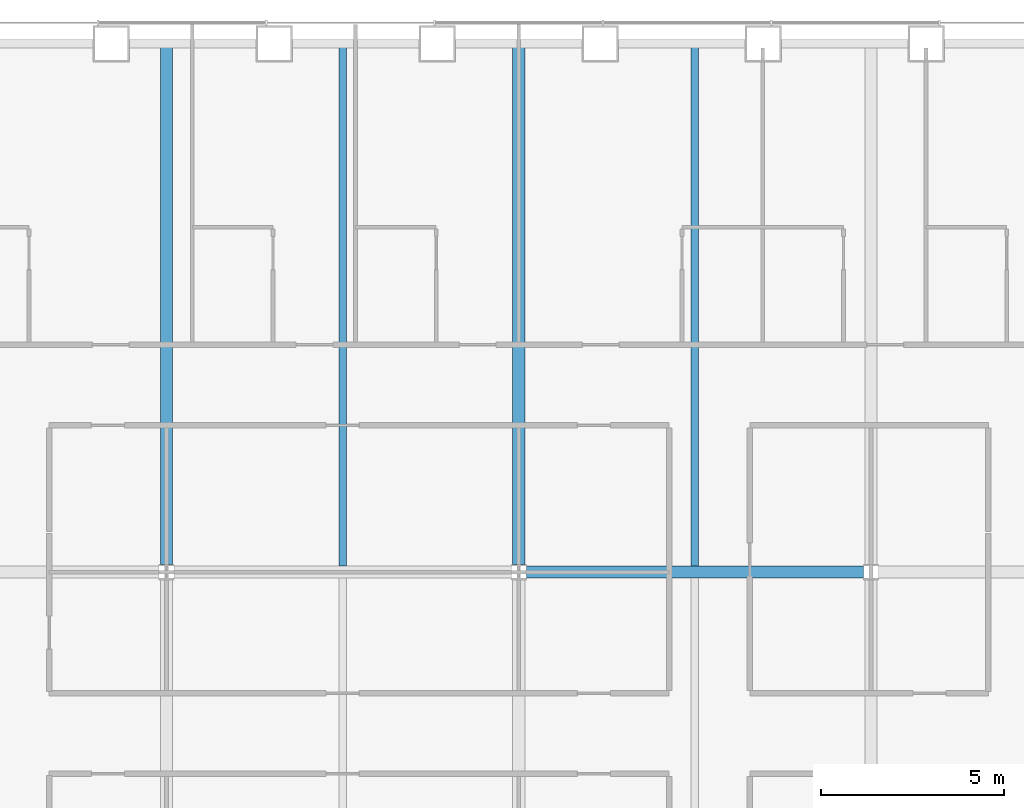
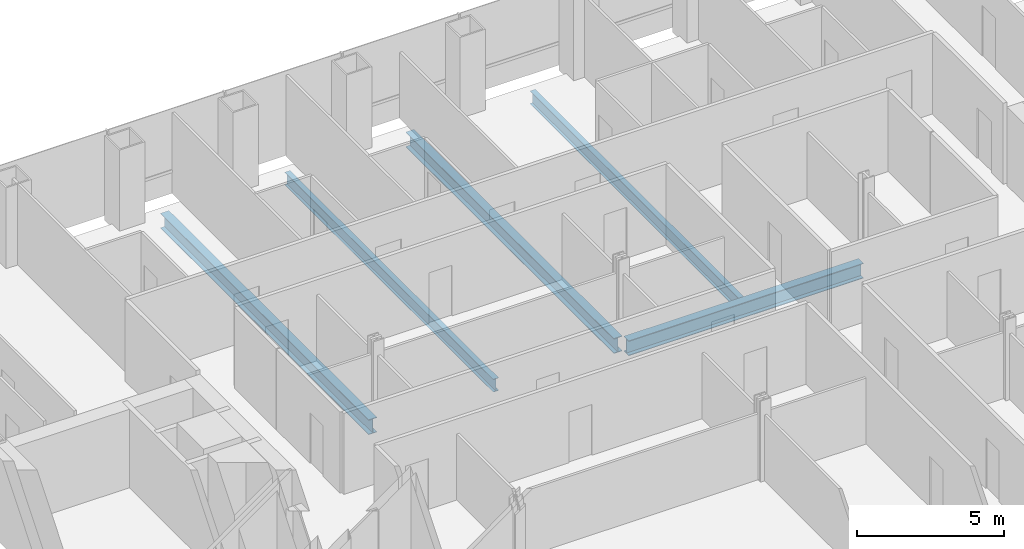
# One storey, part 8 of 23: 5 beams.
"""IFC4 building model written with IfcOpenShell, lengths in metres."""

from ifc_helpers import new_model, si_unit, direction, frame, origin, origin_2d, place, context, subcontext, project, spatial, i_section, extrude, material, material_profile, profile_set, type_object, element, save


model = new_model("IFC4")

# Units and contexts
model_context = context("Model", 3, precision=1e-05, world=origin(), true_north=direction((0.0, 1.0)))
body_context = subcontext(model_context, "Body", "Model", "MODEL_VIEW")
ifc_project = project(units=[si_unit("LENGTHUNIT", "METRE"), si_unit("AREAUNIT", "SQUARE_METRE"), si_unit("VOLUMEUNIT", "CUBIC_METRE"), si_unit("PLANEANGLEUNIT", "RADIAN"), si_unit("MASSUNIT", "GRAM", prefix="KILO")], contexts=[model_context])

# Site, building, storey
site_placement = place(None, origin())
site = spatial("IfcSite", under=ifc_project, at=site_placement, CompositionType="ELEMENT")
building_placement = place(site_placement, origin())
building = spatial("IfcBuilding", under=site, at=building_placement, Name="Cobrizo Arcos Hotel Tower", CompositionType="ELEMENT")
storey_placement = place(building_placement, frame((0.0, 0.0, 56.5)))
storey = spatial("IfcBuildingStorey", under=building, at=storey_placement, Name="L12", CompositionType="ELEMENT", Elevation=56.5)

# Beams
ifc_material = material(Name="Steel ASTM A992 Grade 50", Category="steel")
ifc_material_profile_1 = material_profile(ifc_material, i_section(OverallWidth=0.209228515625, OverallDepth=0.533447265625, WebThickness=0.01025390625, FlangeThickness=0.015625, at=origin_2d()), Name="W21X62")
ifc_profile_set_1 = profile_set([ifc_material_profile_1], Name="Steel ASTM A992 Grade 50")
beam_type_1 = type_object("IfcBeamType", Name="W21X62 joist", PredefinedType="JOIST", material=ifc_profile_set_1)
for number, where, z_axis, x_axis, name in (
    (1, (-4.800048828125, 9.763916015625, -0.416748046875), (0.0, 1.0, 0.0), (-1.0, 0.0, 0.0), "Floor joist J1, L12, no. 010"),
    (2, (4.800048828125, 9.763916015625, -0.416748046875), (0.0, 1.0, 0.0), (-1.0, 0.0, 0.0), "Floor joist J1, L12, no. 014"),
):
    element("IfcBeam", number, at=place(storey_placement, frame(where, z_axis=z_axis, x_axis=x_axis)), inside=storey, type_object=beam_type_1, Name=name, PredefinedType="JOIST", context=body_context, shape_type="SweptSolid", body=[
        extrude(i_section(OverallWidth=0.209228515625, OverallDepth=0.533447265625, WebThickness=0.01025390625, FlangeThickness=0.015625, at=origin_2d()), origin(), (0.0, 0.0, 1.0), 14.14599609375),
    ])
ifc_material_profile_2 = material_profile(ifc_material, i_section(OverallWidth=0.32763671875, OverallDepth=0.622314453125, WebThickness=0.015380859375, FlangeThickness=0.0244140625, at=origin_2d()), Name="W24X131")
ifc_profile_set_2 = profile_set([ifc_material_profile_2], Name="Steel ASTM A992 Grade 50")
beam_type_2 = type_object("IfcBeamType", Name="W24X131 girder", PredefinedType="BEAM", material=ifc_profile_set_2)
beam_placement = place(storey_placement, frame((0.204345703125, 9.60009765625, -0.461181640625), z_axis=(1.0, 0.0, 0.0), x_axis=(0.0, 1.0, 0.0)))
element("IfcBeam", 3, at=beam_placement, inside=storey, type_object=beam_type_2, Name="Floor girder G1, L12, no. 011", PredefinedType="BEAM", context=body_context, shape_type="SweptSolid", body=[
    extrude(i_section(OverallWidth=0.32763671875, OverallDepth=0.622314453125, WebThickness=0.015380859375, FlangeThickness=0.0244140625, at=origin_2d()), origin(), (0.0, 0.0, 1.0), 9.191162109375),
])
for number, where, z_axis, x_axis, name in (
    (4, (-9.60009765625, 9.804443359375, -0.461181640625), (0.0, 1.0, 0.0), (-1.0, 0.0, 0.0), "Floor girder G1, L12, no. 016"),
    (5, (0.0, 9.804443359375, -0.461181640625), (0.0, 1.0, 0.0), (-1.0, 0.0, 0.0), "Floor girder G1, L12, no. 020"),
):
    element("IfcBeam", number, at=place(storey_placement, frame(where, z_axis=z_axis, x_axis=x_axis)), inside=storey, type_object=beam_type_2, Name=name, PredefinedType="BEAM", context=body_context, shape_type="SweptSolid", body=[
        extrude(i_section(OverallWidth=0.32763671875, OverallDepth=0.622314453125, WebThickness=0.015380859375, FlangeThickness=0.0244140625, at=origin_2d()), origin(), (0.0, 0.0, 1.0), 14.10546875),
    ])

save(model, "model.ifc")
